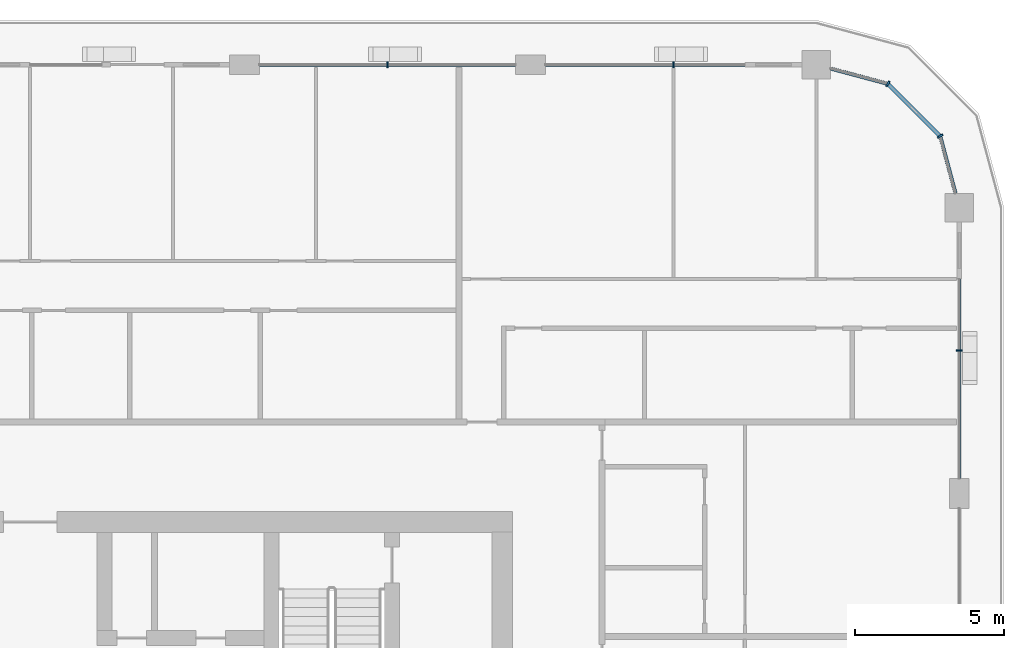
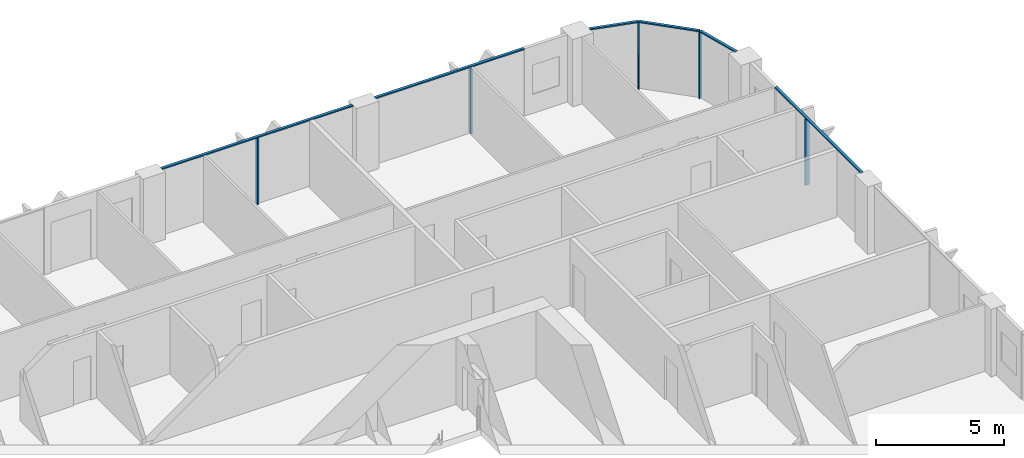
# One storey, part 6 of 23: 11 members, 4 elements without a shape of their own.
"""IFC4 building model written with IfcOpenShell, lengths in metres."""

from ifc_helpers import new_model, si_unit, direction, frame, origin, origin_2d, place, context, subcontext, project, spatial, rectangle, extrude, material, layer, layer_set, material_profile, profile_set, type_object, element, aggregate, save


model = new_model("IFC4")

# Units and contexts
model_context = context("Model", 3, precision=1e-05, world=origin(), true_north=direction((0.0, 1.0)))
body_context = subcontext(model_context, "Body", "Model", "MODEL_VIEW")
ifc_project = project(units=[si_unit("LENGTHUNIT", "METRE"), si_unit("AREAUNIT", "SQUARE_METRE"), si_unit("VOLUMEUNIT", "CUBIC_METRE"), si_unit("PLANEANGLEUNIT", "RADIAN"), si_unit("MASSUNIT", "GRAM", prefix="KILO")], contexts=[model_context])

# Site, building, storey
site_placement = place(None, origin())
site = spatial("IfcSite", under=ifc_project, at=site_placement, CompositionType="ELEMENT")
building_placement = place(site_placement, origin())
building = spatial("IfcBuilding", under=site, at=building_placement, Name="Madar Terraces", CompositionType="ELEMENT")
storey_placement = place(building_placement, frame((0.0, 0.0, 222.800048828125)))
storey = spatial("IfcBuildingStorey", under=building, at=storey_placement, Name="L58", CompositionType="ELEMENT", Elevation=222.800048828125)

# Curtain wall, member
ifc_material_1 = material(Name="Glass, ceramic frit dark grey, with black aluminium frame", Category="aluminium")
ifc_layer = layer(ifc_material_1, 0.199951171875)
ifc_layer_set = layer_set([ifc_layer], Name="Facade curtain wall, fritted glass")
curtain_wall_type = type_object("IfcCurtainWallType", Name="Facade curtain wall, fritted glass", PredefinedType="NOTDEFINED", material=ifc_layer_set)
curtain_wall_1_placement = place(storey_placement, origin())
curtain_wall_1 = element("IfcCurtainWall", 1, at=curtain_wall_1_placement, inside=storey, type_object=curtain_wall_type, Name="Outer skin curtain wall east bay 4", PredefinedType="NOTDEFINED")
ifc_material_2 = material(Name="Aluminium, black anodised", Category="aluminium")
ifc_material_profile_1 = material_profile(ifc_material_2, rectangle(XDim=0.199951171875, YDim=0.06005859375, at=origin_2d()), Name="Facade mullion 60x200")
ifc_profile_set_1 = profile_set([ifc_material_profile_1], Name="Aluminium, black anodised")
member_type_1 = type_object("IfcMemberType", Name="Facade mullion 60x200", PredefinedType="MULLION", material=ifc_profile_set_1)
member_1_placement = place(storey_placement, frame((62.39990234375, 43.199951171875, 0.0), z_axis=(0.0, 0.0, 1.0), x_axis=(-1.0, 0.0, 0.0)))
member_1 = element("IfcMember", 2, at=member_1_placement, type_object=member_type_1, Name="Mullion 1", PredefinedType="MULLION", context=body_context, shape_type="SweptSolid", body=[
    extrude(rectangle(XDim=0.199951171875, YDim=0.06005859375, at=origin_2d()), origin(), (0.0, 0.0, 1.0), 3.139892578125),
])

curtain_wall_2_placement = place(storey_placement, origin())
curtain_wall_2 = element("IfcCurtainWall", 3, at=curtain_wall_2_placement, inside=storey, type_object=curtain_wall_type, Name="Outer skin curtain wall north bay 1", PredefinedType="NOTDEFINED")
member_2_placement = place(storey_placement, frame((52.800048828125, 52.800048828125, 0.0), z_axis=(0.0, 0.0, 1.0), x_axis=(0.0, -1.0, 0.0)))
member_2 = element("IfcMember", 4, at=member_2_placement, type_object=member_type_1, Name="Mullion 1", PredefinedType="MULLION", context=body_context, shape_type="SweptSolid", body=[
    extrude(rectangle(XDim=0.199951171875, YDim=0.06005859375, at=origin_2d()), origin(), (0.0, 0.0, 1.0), 3.139892578125),
])

curtain_wall_3_placement = place(storey_placement, origin())
curtain_wall_3 = element("IfcCurtainWall", 5, at=curtain_wall_3_placement, inside=storey, type_object=curtain_wall_type, Name="Outer skin curtain wall north bay 2", PredefinedType="NOTDEFINED")
member_3_placement = place(storey_placement, frame((43.199951171875, 52.800048828125, 0.0), z_axis=(0.0, 0.0, 1.0), x_axis=(0.0, -1.0, 0.0)))
member_3 = element("IfcMember", 6, at=member_3_placement, type_object=member_type_1, Name="Mullion 1", PredefinedType="MULLION", context=body_context, shape_type="SweptSolid", body=[
    extrude(rectangle(XDim=0.199951171875, YDim=0.06005859375, at=origin_2d()), origin(), (0.0, 0.0, 1.0), 3.139892578125),
])

# Curtain wall, members
curtain_wall_4_placement = place(storey_placement, origin())
curtain_wall_4 = element("IfcCurtainWall", 7, at=curtain_wall_4_placement, inside=storey, type_object=curtain_wall_type, Name="Outer skin curtain wall north-east corner", PredefinedType="NOTDEFINED")
member_4_placement = place(storey_placement, frame((61.7568359375, 50.39990234375, 0.0), z_axis=(0.0, 0.0, 1.0), x_axis=(-0.866025409797, -0.499999989586, 0.0)))
member_4 = element("IfcMember", 8, at=member_4_placement, type_object=member_type_1, Name="Mullion 1", PredefinedType="MULLION", context=body_context, shape_type="SweptSolid", body=[
    extrude(rectangle(XDim=0.199951171875, YDim=0.06005859375, at=origin_2d()), origin(), (0.0, 0.0, 1.0), 3.139892578125),
])
member_5_placement = place(storey_placement, frame((60.0, 52.156982421875, 0.0), z_axis=(0.0, 0.0, 1.0), x_axis=(-0.499999989586, -0.866025409797, 0.0)))
member_5 = element("IfcMember", 9, at=member_5_placement, type_object=member_type_1, Name="Mullion 2", PredefinedType="MULLION", context=body_context, shape_type="SweptSolid", body=[
    extrude(rectangle(XDim=0.199951171875, YDim=0.06005859375, at=origin_2d()), origin(), (0.0, 0.0, 1.0), 3.139892578125),
])

# Member
ifc_material_3 = material(Name="Aluminium, black anodised", Category="aluminium")
ifc_material_profile_2 = material_profile(ifc_material_3, rectangle(XDim=0.1201171875, YDim=0.06005859375, at=origin_2d()), Name="Facade transom 60x120")
ifc_profile_set_2 = profile_set([ifc_material_profile_2], Name="Aluminium, black anodised")
member_type_2 = type_object("IfcMemberType", Name="Facade transom 60x120", PredefinedType="USERDEFINED", material=ifc_profile_set_2)
member_6_placement = place(storey_placement, frame((62.39990234375, 38.89990234375, 3.169921875), z_axis=(0.0, 1.0, 0.0), x_axis=(-1.0, 0.0, 0.0)))
member_6 = element("IfcMember", 10, at=member_6_placement, type_object=member_type_2, Name="Transom 1", ObjectType="TRANSOM", PredefinedType="USERDEFINED", context=body_context, shape_type="SweptSolid", body=[
    extrude(rectangle(XDim=0.1201171875, YDim=0.06005859375, at=origin_2d()), origin(), (0.0, 0.0, 1.0), 6.7001953125),
])

aggregate(curtain_wall_1, [member_1, member_6])

member_7_placement = place(storey_placement, frame((55.199951171875, 52.800048828125, 3.169921875), z_axis=(-1.0, 0.0, 0.0), x_axis=(0.0, -1.0, 0.0)))
member_7 = element("IfcMember", 11, at=member_7_placement, type_object=member_type_2, Name="Transom 1", ObjectType="TRANSOM", PredefinedType="USERDEFINED", context=body_context, shape_type="SweptSolid", body=[
    extrude(rectangle(XDim=0.1201171875, YDim=0.06005859375, at=origin_2d()), origin(), (0.0, 0.0, 1.0), 6.699951171875),
])

aggregate(curtain_wall_2, [member_2, member_7])

member_8_placement = place(storey_placement, frame((47.5, 52.800048828125, 3.169921875), z_axis=(-1.0, 0.0, 0.0), x_axis=(0.0, -1.0, 0.0)))
member_8 = element("IfcMember", 12, at=member_8_placement, type_object=member_type_2, Name="Transom 1", ObjectType="TRANSOM", PredefinedType="USERDEFINED", context=body_context, shape_type="SweptSolid", body=[
    extrude(rectangle(XDim=0.1201171875, YDim=0.06005859375, at=origin_2d()), origin(), (0.0, 0.0, 1.0), 8.60009765625),
])

aggregate(curtain_wall_3, [member_3, member_8])

member_9_placement = place(storey_placement, frame((62.272705078125, 48.47509765625, 3.169921875), z_axis=(-0.258831412352, 0.96592251241, 0.0), x_axis=(-0.96592251241, -0.258831412352, 0.0)))
member_9 = element("IfcMember", 13, at=member_9_placement, type_object=member_type_2, Name="Transom 1", ObjectType="TRANSOM", PredefinedType="USERDEFINED", context=body_context, shape_type="SweptSolid", body=[
    extrude(rectangle(XDim=0.1201171875, YDim=0.06005859375, at=origin_2d()), origin(), (0.0, 0.0, 1.0), 1.962890625),
])

member_10_placement = place(storey_placement, frame((61.735595703125, 50.421142578125, 3.169921875), z_axis=(-0.707056433593, 0.707157125196, 0.0), x_axis=(-0.707157125196, -0.707056433593, 0.0)))
member_10 = element("IfcMember", 14, at=member_10_placement, type_object=member_type_2, Name="Transom 2", ObjectType="TRANSOM", PredefinedType="USERDEFINED", context=body_context, shape_type="SweptSolid", body=[
    extrude(rectangle(XDim=0.1201171875, YDim=0.06005859375, at=origin_2d()), origin(), (0.0, 0.0, 1.0), 2.424560546875),
])

member_11_placement = place(storey_placement, frame((59.970947265625, 52.164794921875, 3.169921875), z_axis=(-0.965953602414, 0.258715360935, 0.0), x_axis=(-0.258715360935, -0.965953602414, 0.0)))
member_11 = element("IfcMember", 15, at=member_11_placement, type_object=member_type_2, Name="Transom 3", ObjectType="TRANSOM", PredefinedType="USERDEFINED", context=body_context, shape_type="SweptSolid", body=[
    extrude(rectangle(XDim=0.1201171875, YDim=0.06005859375, at=origin_2d()), origin(), (0.0, 0.0, 1.0), 1.962890625),
])

aggregate(curtain_wall_4, [member_4, member_9, member_5, member_10, member_11])

save(model, "model.ifc")
